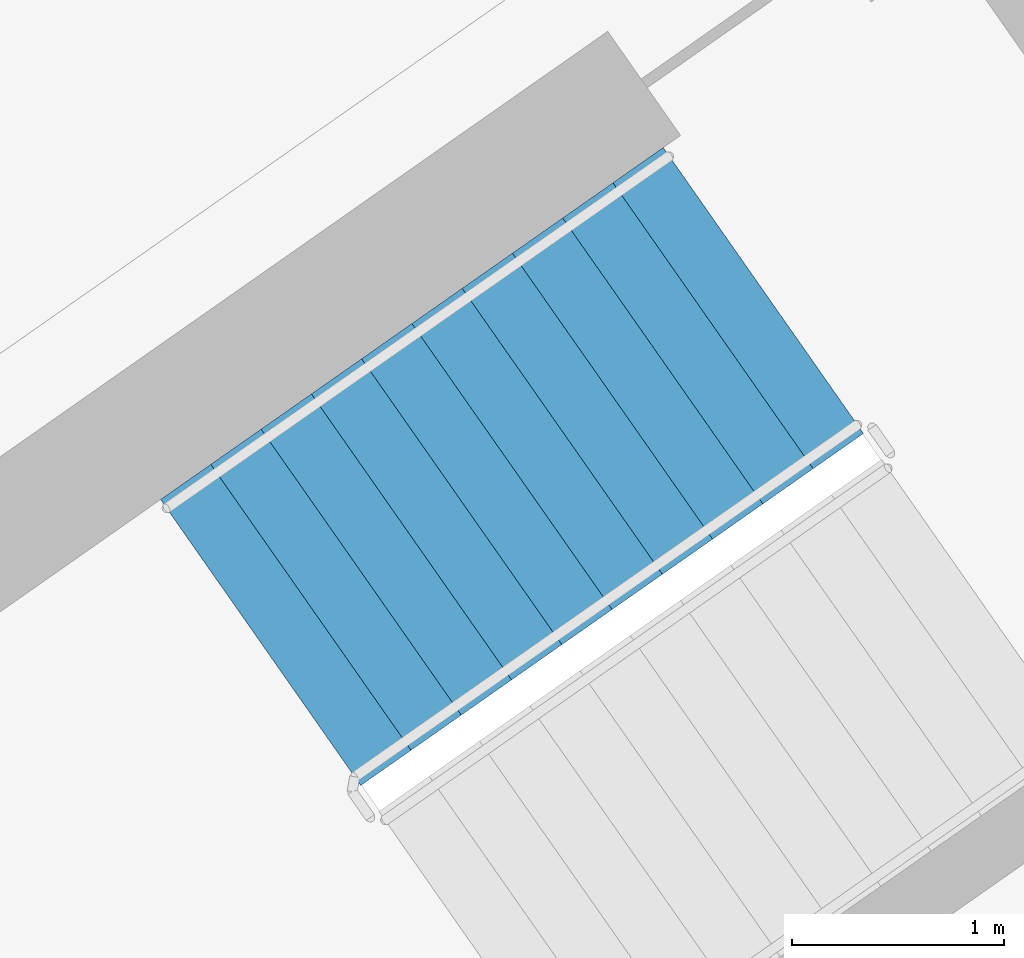
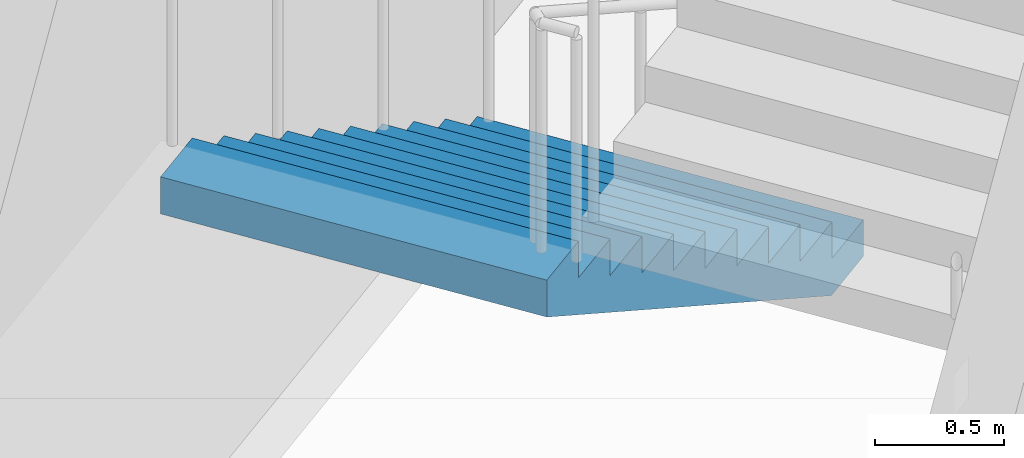
# One storey, part 16 of 26: 1 stair flight, 1 element without a shape of its own.
"""IFC4 building model written with IfcOpenShell, lengths in metres."""

from ifc_helpers import new_model, si_unit, direction, frame, origin, place, context, subcontext, project, spatial, faceted_brep, material, type_object, element, aggregate, save


model = new_model("IFC4")

# Units and contexts
model_context = context("Model", 3, precision=1e-05, world=origin(), true_north=direction((0.0, 1.0)))
body_context = subcontext(model_context, "Body", "Model", "MODEL_VIEW")
ifc_project = project(units=[si_unit("LENGTHUNIT", "METRE"), si_unit("AREAUNIT", "SQUARE_METRE"), si_unit("VOLUMEUNIT", "CUBIC_METRE"), si_unit("PLANEANGLEUNIT", "RADIAN"), si_unit("MASSUNIT", "GRAM", prefix="KILO")], contexts=[model_context])

# Site, building, storey
site_placement = place(None, origin())
site = spatial("IfcSite", under=ifc_project, at=site_placement, CompositionType="ELEMENT")
building_placement = place(site_placement, origin())
building = spatial("IfcBuilding", under=site, at=building_placement, Name="Qamariyya Broadcast Tower", CompositionType="ELEMENT")
storey_placement = place(building_placement, frame((0.0, 0.0, 160.699951171875)))
storey = spatial("IfcBuildingStorey", under=building, at=storey_placement, Name="L37", CompositionType="ELEMENT", Elevation=160.699951171875)

# Stair, stair flight
ifc_material = material(Name="Concrete C50/60", Category="concrete")
stair_type = type_object("IfcStairType", Name="Exit stair 22 risers of 173 mm", PredefinedType="HALF_TURN_STAIR", material=ifc_material)
stair_placement = place(storey_placement, origin())
stair = element("IfcStair", 1, at=stair_placement, inside=storey, type_object=stair_type, Name="L37 Stair E2", PredefinedType="HALF_TURN_STAIR")
stair_flight_type = type_object("IfcStairFlightType", Name="Exit stair flight 11 risers of 173 mm", PredefinedType="STRAIGHT", material=ifc_material)
stair_flight_placement = place(storey_placement, frame((40.558837890625, -47.685302734375, 0.0), z_axis=(0.0, 0.0, 1.0), x_axis=(-0.819152044289, -0.573576436351, 0.0)))
stair_flight = element("IfcStairFlight", 2, at=stair_flight_placement, type_object=stair_flight_type, Name="ST-E2 flight 1", NumberOfRisers=11, NumberOfTreads=10, PredefinedType="STRAIGHT", RiserHeight=0.172727273, TreadLength=0.29, context=body_context, shape_type="Brep", body=[
    faceted_brep([(0.0, 0.824951171875, 0.0), (0.0, 0.824951171875, 0.172607421875), (0.2900390625, 0.824951171875, 0.172607421875), (0.2900390625, 0.824951171875, 0.345458984375), (0.580078125, 0.824951171875, 0.345458984375), (0.580078125, 0.824951171875, 0.51806640625), (0.8701171875, 0.824951171875, 0.51806640625), (0.8701171875, 0.824951171875, 0.69091796875), (1.159912109375, 0.824951171875, 0.69091796875), (1.159912109375, 0.824951171875, 0.863525390625), (1.449951171875, 0.824951171875, 0.863525390625), (1.449951171875, 0.824951171875, 1.036376953125), (1.739990234375, 0.824951171875, 1.036376953125), (1.739990234375, 0.824951171875, 1.208984375), (2.030029296875, 0.824951171875, 1.208984375), (2.030029296875, 0.824951171875, 1.3818359375), (2.320068359375, 0.824951171875, 1.3818359375), (2.320068359375, 0.824951171875, 1.554443359375), (2.610107421875, 0.824951171875, 1.554443359375), (2.610107421875, 0.824951171875, 1.727294921875), (2.89990234375, 0.824951171875, 1.727294921875), (2.89990234375, 0.824951171875, 1.552734375), (0.29296875, 0.824951171875, 0.0), (0.29296875, -0.824951171875, 0.0), (2.89990234375, -0.824951171875, 1.552734375), (2.89990234375, -0.824951171875, 1.727294921875), (2.610107421875, -0.824951171875, 1.727294921875), (2.610107421875, -0.824951171875, 1.554443359375), (2.320068359375, -0.824951171875, 1.554443359375), (2.320068359375, -0.824951171875, 1.3818359375), (2.030029296875, -0.824951171875, 1.3818359375), (2.030029296875, -0.824951171875, 1.208984375), (1.739990234375, -0.824951171875, 1.208984375), (1.739990234375, -0.824951171875, 1.036376953125), (1.449951171875, -0.824951171875, 1.036376953125), (1.449951171875, -0.824951171875, 0.863525390625), (1.159912109375, -0.824951171875, 0.863525390625), (1.159912109375, -0.824951171875, 0.69091796875), (0.8701171875, -0.824951171875, 0.69091796875), (0.8701171875, -0.824951171875, 0.51806640625), (0.580078125, -0.824951171875, 0.51806640625), (0.580078125, -0.824951171875, 0.345458984375), (0.2900390625, -0.824951171875, 0.345458984375), (0.2900390625, -0.824951171875, 0.172607421875), (0.0, -0.824951171875, 0.172607421875), (0.0, -0.824951171875, 0.0), (0.0, 0.10009765625, 0.0), (0.0, 0.086669921875, 0.0), (0.0, 0.0732421875, 0.0), (0.0, 0.06005859375, 0.0), (0.0, 0.046630859375, 0.0), (0.0, 0.033447265625, 0.0), (0.0, 0.02001953125, 0.0), (0.0, 0.006591796875, 0.0), (0.0, -0.006591796875, 0.0), (0.0, -0.02001953125, 0.0), (0.0, -0.033447265625, 0.0), (0.0, -0.046630859375, 0.0), (0.0, -0.06005859375, 0.0), (0.0, -0.0732421875, 0.0), (0.0, -0.086669921875, 0.0), (0.0, -0.10009765625, 0.0), (0.0, -0.10009765625, 0.172607421875), (0.0, -0.086669921875, 0.172607421875), (0.0, -0.0732421875, 0.172607421875), (0.0, -0.06005859375, 0.172607421875), (0.0, -0.046630859375, 0.172607421875), (0.0, -0.033447265625, 0.172607421875), (0.0, -0.02001953125, 0.172607421875), (0.0, -0.006591796875, 0.172607421875), (0.0, 0.006591796875, 0.172607421875), (0.0, 0.02001953125, 0.172607421875), (0.0, 0.033447265625, 0.172607421875), (0.0, 0.046630859375, 0.172607421875), (0.0, 0.06005859375, 0.172607421875), (0.0, 0.0732421875, 0.172607421875), (0.0, 0.086669921875, 0.172607421875), (0.0, 0.10009765625, 0.172607421875), (0.2900390625, -0.10009765625, 0.172607421875), (0.2900390625, -0.086669921875, 0.172607421875), (0.2900390625, -0.0732421875, 0.172607421875), (0.2900390625, -0.06005859375, 0.172607421875), (0.2900390625, -0.046630859375, 0.172607421875), (0.2900390625, -0.033447265625, 0.172607421875), (0.2900390625, -0.02001953125, 0.172607421875), (0.2900390625, -0.006591796875, 0.172607421875), (0.2900390625, 0.006591796875, 0.172607421875), (0.2900390625, 0.02001953125, 0.172607421875), (0.2900390625, 0.033447265625, 0.172607421875), (0.2900390625, 0.046630859375, 0.172607421875), (0.2900390625, 0.06005859375, 0.172607421875), (0.2900390625, 0.0732421875, 0.172607421875), (0.2900390625, 0.086669921875, 0.172607421875), (0.2900390625, 0.10009765625, 0.172607421875), (0.2900390625, -0.10009765625, 0.345458984375), (0.2900390625, -0.086669921875, 0.345458984375), (0.2900390625, -0.0732421875, 0.345458984375), (0.2900390625, -0.06005859375, 0.345458984375), (0.2900390625, -0.046630859375, 0.345458984375), (0.2900390625, -0.033447265625, 0.345458984375), (0.2900390625, -0.02001953125, 0.345458984375), (0.2900390625, -0.006591796875, 0.345458984375), (0.2900390625, 0.006591796875, 0.345458984375), (0.2900390625, 0.02001953125, 0.345458984375), (0.2900390625, 0.033447265625, 0.345458984375), (0.2900390625, 0.046630859375, 0.345458984375), (0.2900390625, 0.06005859375, 0.345458984375), (0.2900390625, 0.0732421875, 0.345458984375), (0.2900390625, 0.086669921875, 0.345458984375), (0.2900390625, 0.10009765625, 0.345458984375), (0.580078125, -0.10009765625, 0.345458984375), (0.580078125, -0.086669921875, 0.345458984375), (0.580078125, -0.0732421875, 0.345458984375), (0.580078125, -0.06005859375, 0.345458984375), (0.580078125, -0.046630859375, 0.345458984375), (0.580078125, -0.033447265625, 0.345458984375), (0.580078125, -0.02001953125, 0.345458984375), (0.580078125, -0.006591796875, 0.345458984375), (0.580078125, 0.006591796875, 0.345458984375), (0.580078125, 0.02001953125, 0.345458984375), (0.580078125, 0.033447265625, 0.345458984375), (0.580078125, 0.046630859375, 0.345458984375), (0.580078125, 0.06005859375, 0.345458984375), (0.580078125, 0.0732421875, 0.345458984375), (0.580078125, 0.086669921875, 0.345458984375), (0.580078125, 0.10009765625, 0.345458984375), (0.580078125, -0.10009765625, 0.51806640625), (0.580078125, -0.086669921875, 0.51806640625), (0.580078125, -0.0732421875, 0.51806640625), (0.580078125, -0.06005859375, 0.51806640625), (0.580078125, -0.046630859375, 0.51806640625), (0.580078125, -0.033447265625, 0.51806640625), (0.580078125, -0.02001953125, 0.51806640625), (0.580078125, -0.006591796875, 0.51806640625), (0.580078125, 0.006591796875, 0.51806640625), (0.580078125, 0.02001953125, 0.51806640625), (0.580078125, 0.033447265625, 0.51806640625), (0.580078125, 0.046630859375, 0.51806640625), (0.580078125, 0.06005859375, 0.51806640625), (0.580078125, 0.0732421875, 0.51806640625), (0.580078125, 0.086669921875, 0.51806640625), (0.580078125, 0.10009765625, 0.51806640625), (0.8701171875, -0.10009765625, 0.51806640625), (0.8701171875, -0.086669921875, 0.51806640625), (0.8701171875, -0.0732421875, 0.51806640625), (0.8701171875, -0.06005859375, 0.51806640625), (0.8701171875, -0.046630859375, 0.51806640625), (0.8701171875, -0.033447265625, 0.51806640625), (0.8701171875, -0.02001953125, 0.51806640625), (0.8701171875, -0.006591796875, 0.51806640625), (0.8701171875, 0.006591796875, 0.51806640625), (0.8701171875, 0.02001953125, 0.51806640625), (0.8701171875, 0.033447265625, 0.51806640625), (0.8701171875, 0.046630859375, 0.51806640625), (0.8701171875, 0.06005859375, 0.51806640625), (0.8701171875, 0.0732421875, 0.51806640625), (0.8701171875, 0.086669921875, 0.51806640625), (0.8701171875, 0.10009765625, 0.51806640625), (0.8701171875, -0.10009765625, 0.69091796875), (0.8701171875, -0.086669921875, 0.69091796875), (0.8701171875, -0.0732421875, 0.69091796875), (0.8701171875, -0.06005859375, 0.69091796875), (0.8701171875, -0.046630859375, 0.69091796875), (0.8701171875, -0.033447265625, 0.69091796875), (0.8701171875, -0.02001953125, 0.69091796875), (0.8701171875, -0.006591796875, 0.69091796875), (0.8701171875, 0.006591796875, 0.69091796875), (0.8701171875, 0.02001953125, 0.69091796875), (0.8701171875, 0.033447265625, 0.69091796875), (0.8701171875, 0.046630859375, 0.69091796875), (0.8701171875, 0.06005859375, 0.69091796875), (0.8701171875, 0.0732421875, 0.69091796875), (0.8701171875, 0.086669921875, 0.69091796875), (0.8701171875, 0.10009765625, 0.69091796875), (1.159912109375, -0.10009765625, 0.69091796875), (1.159912109375, -0.086669921875, 0.69091796875), (1.159912109375, -0.0732421875, 0.69091796875), (1.159912109375, -0.06005859375, 0.69091796875), (1.159912109375, -0.046630859375, 0.69091796875), (1.159912109375, -0.033447265625, 0.69091796875), (1.159912109375, -0.02001953125, 0.69091796875), (1.159912109375, -0.006591796875, 0.69091796875), (1.159912109375, 0.006591796875, 0.69091796875), (1.159912109375, 0.02001953125, 0.69091796875), (1.159912109375, 0.033447265625, 0.69091796875), (1.159912109375, 0.046630859375, 0.69091796875), (1.159912109375, 0.06005859375, 0.69091796875), (1.159912109375, 0.0732421875, 0.69091796875), (1.159912109375, 0.086669921875, 0.69091796875), (1.159912109375, 0.10009765625, 0.69091796875), (1.159912109375, -0.10009765625, 0.863525390625), (1.159912109375, -0.086669921875, 0.863525390625), (1.159912109375, -0.0732421875, 0.863525390625), (1.159912109375, -0.06005859375, 0.863525390625), (1.159912109375, -0.046630859375, 0.863525390625), (1.159912109375, -0.033447265625, 0.863525390625), (1.159912109375, -0.02001953125, 0.863525390625), (1.159912109375, -0.006591796875, 0.863525390625), (1.159912109375, 0.006591796875, 0.863525390625), (1.159912109375, 0.02001953125, 0.863525390625), (1.159912109375, 0.033447265625, 0.863525390625), (1.159912109375, 0.046630859375, 0.863525390625), (1.159912109375, 0.06005859375, 0.863525390625), (1.159912109375, 0.0732421875, 0.863525390625), (1.159912109375, 0.086669921875, 0.863525390625), (1.159912109375, 0.10009765625, 0.863525390625), (1.449951171875, -0.10009765625, 0.863525390625), (1.449951171875, -0.086669921875, 0.863525390625), (1.449951171875, -0.0732421875, 0.863525390625), (1.449951171875, -0.06005859375, 0.863525390625), (1.449951171875, -0.046630859375, 0.863525390625), (1.449951171875, -0.033447265625, 0.863525390625), (1.449951171875, -0.02001953125, 0.863525390625), (1.449951171875, -0.006591796875, 0.863525390625), (1.449951171875, 0.006591796875, 0.863525390625), (1.449951171875, 0.02001953125, 0.863525390625), (1.449951171875, 0.033447265625, 0.863525390625), (1.449951171875, 0.046630859375, 0.863525390625), (1.449951171875, 0.06005859375, 0.863525390625), (1.449951171875, 0.0732421875, 0.863525390625), (1.449951171875, 0.086669921875, 0.863525390625), (1.449951171875, 0.10009765625, 0.863525390625), (1.449951171875, -0.10009765625, 1.036376953125), (1.449951171875, -0.086669921875, 1.036376953125), (1.449951171875, -0.0732421875, 1.036376953125), (1.449951171875, -0.06005859375, 1.036376953125), (1.449951171875, -0.046630859375, 1.036376953125), (1.449951171875, -0.033447265625, 1.036376953125), (1.449951171875, -0.02001953125, 1.036376953125), (1.449951171875, -0.006591796875, 1.036376953125), (1.449951171875, 0.006591796875, 1.036376953125), (1.449951171875, 0.02001953125, 1.036376953125), (1.449951171875, 0.033447265625, 1.036376953125), (1.449951171875, 0.046630859375, 1.036376953125), (1.449951171875, 0.06005859375, 1.036376953125), (1.449951171875, 0.0732421875, 1.036376953125), (1.449951171875, 0.086669921875, 1.036376953125), (1.449951171875, 0.10009765625, 1.036376953125), (1.739990234375, -0.10009765625, 1.036376953125), (1.739990234375, -0.086669921875, 1.036376953125), (1.739990234375, -0.0732421875, 1.036376953125), (1.739990234375, -0.06005859375, 1.036376953125), (1.739990234375, -0.046630859375, 1.036376953125), (1.739990234375, -0.033447265625, 1.036376953125), (1.739990234375, -0.02001953125, 1.036376953125), (1.739990234375, -0.006591796875, 1.036376953125), (1.739990234375, 0.006591796875, 1.036376953125), (1.739990234375, 0.02001953125, 1.036376953125), (1.739990234375, 0.033447265625, 1.036376953125), (1.739990234375, 0.046630859375, 1.036376953125), (1.739990234375, 0.06005859375, 1.036376953125), (1.739990234375, 0.0732421875, 1.036376953125), (1.739990234375, 0.086669921875, 1.036376953125), (1.739990234375, 0.10009765625, 1.036376953125), (1.739990234375, -0.10009765625, 1.208984375), (1.739990234375, -0.086669921875, 1.208984375), (1.739990234375, -0.0732421875, 1.208984375), (1.739990234375, -0.06005859375, 1.208984375), (1.739990234375, -0.046630859375, 1.208984375), (1.739990234375, -0.033447265625, 1.208984375), (1.739990234375, -0.02001953125, 1.208984375), (1.739990234375, -0.006591796875, 1.208984375), (1.739990234375, 0.006591796875, 1.208984375), (1.739990234375, 0.02001953125, 1.208984375), (1.739990234375, 0.033447265625, 1.208984375), (1.739990234375, 0.046630859375, 1.208984375), (1.739990234375, 0.06005859375, 1.208984375), (1.739990234375, 0.0732421875, 1.208984375), (1.739990234375, 0.086669921875, 1.208984375), (1.739990234375, 0.10009765625, 1.208984375), (2.030029296875, -0.10009765625, 1.208984375), (2.030029296875, -0.086669921875, 1.208984375), (2.030029296875, -0.0732421875, 1.208984375), (2.030029296875, -0.06005859375, 1.208984375), (2.030029296875, -0.046630859375, 1.208984375), (2.030029296875, -0.033447265625, 1.208984375), (2.030029296875, -0.02001953125, 1.208984375), (2.030029296875, -0.006591796875, 1.208984375), (2.030029296875, 0.006591796875, 1.208984375), (2.030029296875, 0.02001953125, 1.208984375), (2.030029296875, 0.033447265625, 1.208984375), (2.030029296875, 0.046630859375, 1.208984375), (2.030029296875, 0.06005859375, 1.208984375), (2.030029296875, 0.0732421875, 1.208984375), (2.030029296875, 0.086669921875, 1.208984375), (2.030029296875, 0.10009765625, 1.208984375), (2.030029296875, -0.10009765625, 1.3818359375), (2.030029296875, -0.086669921875, 1.3818359375), (2.030029296875, -0.0732421875, 1.3818359375), (2.030029296875, -0.06005859375, 1.3818359375), (2.030029296875, -0.046630859375, 1.3818359375), (2.030029296875, -0.033447265625, 1.3818359375), (2.030029296875, -0.02001953125, 1.3818359375), (2.030029296875, -0.006591796875, 1.3818359375), (2.030029296875, 0.006591796875, 1.3818359375), (2.030029296875, 0.02001953125, 1.3818359375), (2.030029296875, 0.033447265625, 1.3818359375), (2.030029296875, 0.046630859375, 1.3818359375), (2.030029296875, 0.06005859375, 1.3818359375), (2.030029296875, 0.0732421875, 1.3818359375), (2.030029296875, 0.086669921875, 1.3818359375), (2.030029296875, 0.10009765625, 1.3818359375), (2.320068359375, -0.10009765625, 1.3818359375), (2.320068359375, -0.086669921875, 1.3818359375), (2.320068359375, -0.0732421875, 1.3818359375), (2.320068359375, -0.06005859375, 1.3818359375), (2.320068359375, -0.046630859375, 1.3818359375), (2.320068359375, -0.033447265625, 1.3818359375), (2.320068359375, -0.02001953125, 1.3818359375), (2.320068359375, -0.006591796875, 1.3818359375), (2.320068359375, 0.006591796875, 1.3818359375), (2.320068359375, 0.02001953125, 1.3818359375), (2.320068359375, 0.033447265625, 1.3818359375), (2.320068359375, 0.046630859375, 1.3818359375), (2.320068359375, 0.06005859375, 1.3818359375), (2.320068359375, 0.0732421875, 1.3818359375), (2.320068359375, 0.086669921875, 1.3818359375), (2.320068359375, 0.10009765625, 1.3818359375), (2.320068359375, -0.10009765625, 1.554443359375), (2.320068359375, -0.086669921875, 1.554443359375), (2.320068359375, -0.0732421875, 1.554443359375), (2.320068359375, -0.06005859375, 1.554443359375), (2.320068359375, -0.046630859375, 1.554443359375), (2.320068359375, -0.033447265625, 1.554443359375), (2.320068359375, -0.02001953125, 1.554443359375), (2.320068359375, -0.006591796875, 1.554443359375), (2.320068359375, 0.006591796875, 1.554443359375), (2.320068359375, 0.02001953125, 1.554443359375), (2.320068359375, 0.033447265625, 1.554443359375), (2.320068359375, 0.046630859375, 1.554443359375), (2.320068359375, 0.06005859375, 1.554443359375), (2.320068359375, 0.0732421875, 1.554443359375), (2.320068359375, 0.086669921875, 1.554443359375), (2.320068359375, 0.10009765625, 1.554443359375), (2.610107421875, -0.10009765625, 1.554443359375), (2.610107421875, -0.086669921875, 1.554443359375), (2.610107421875, -0.0732421875, 1.554443359375), (2.610107421875, -0.06005859375, 1.554443359375), (2.610107421875, -0.046630859375, 1.554443359375), (2.610107421875, -0.033447265625, 1.554443359375), (2.610107421875, -0.02001953125, 1.554443359375), (2.610107421875, -0.006591796875, 1.554443359375), (2.610107421875, 0.006591796875, 1.554443359375), (2.610107421875, 0.02001953125, 1.554443359375), (2.610107421875, 0.033447265625, 1.554443359375), (2.610107421875, 0.046630859375, 1.554443359375), (2.610107421875, 0.06005859375, 1.554443359375), (2.610107421875, 0.0732421875, 1.554443359375), (2.610107421875, 0.086669921875, 1.554443359375), (2.610107421875, 0.10009765625, 1.554443359375), (2.610107421875, -0.10009765625, 1.727294921875), (2.610107421875, -0.086669921875, 1.727294921875), (2.610107421875, -0.0732421875, 1.727294921875), (2.610107421875, -0.06005859375, 1.727294921875), (2.610107421875, -0.046630859375, 1.727294921875), (2.610107421875, -0.033447265625, 1.727294921875), (2.610107421875, -0.02001953125, 1.727294921875), (2.610107421875, -0.006591796875, 1.727294921875), (2.610107421875, 0.006591796875, 1.727294921875), (2.610107421875, 0.02001953125, 1.727294921875), (2.610107421875, 0.033447265625, 1.727294921875), (2.610107421875, 0.046630859375, 1.727294921875), (2.610107421875, 0.06005859375, 1.727294921875), (2.610107421875, 0.0732421875, 1.727294921875), (2.610107421875, 0.086669921875, 1.727294921875), (2.610107421875, 0.10009765625, 1.727294921875), (2.89990234375, -0.10009765625, 1.727294921875), (2.89990234375, -0.086669921875, 1.727294921875), (2.89990234375, -0.0732421875, 1.727294921875), (2.89990234375, -0.06005859375, 1.727294921875), (2.89990234375, -0.046630859375, 1.727294921875), (2.89990234375, -0.033447265625, 1.727294921875), (2.89990234375, -0.02001953125, 1.727294921875), (2.89990234375, -0.006591796875, 1.727294921875), (2.89990234375, 0.006591796875, 1.727294921875), (2.89990234375, 0.02001953125, 1.727294921875), (2.89990234375, 0.033447265625, 1.727294921875), (2.89990234375, 0.046630859375, 1.727294921875), (2.89990234375, 0.06005859375, 1.727294921875), (2.89990234375, 0.0732421875, 1.727294921875), (2.89990234375, 0.086669921875, 1.727294921875), (2.89990234375, 0.10009765625, 1.727294921875), (2.89990234375, -0.10009765625, 1.552734375), (2.89990234375, -0.086669921875, 1.552734375), (2.89990234375, -0.0732421875, 1.552734375), (2.89990234375, -0.06005859375, 1.552734375), (2.89990234375, -0.046630859375, 1.552734375), (2.89990234375, -0.033447265625, 1.552734375), (2.89990234375, -0.02001953125, 1.552734375), (2.89990234375, -0.006591796875, 1.552734375), (2.89990234375, 0.006591796875, 1.552734375), (2.89990234375, 0.02001953125, 1.552734375), (2.89990234375, 0.033447265625, 1.552734375), (2.89990234375, 0.046630859375, 1.552734375), (2.89990234375, 0.06005859375, 1.552734375), (2.89990234375, 0.0732421875, 1.552734375), (2.89990234375, 0.086669921875, 1.552734375), (2.89990234375, 0.10009765625, 1.552734375), (0.29296875, -0.10009765625, 0.0), (0.29296875, -0.086669921875, 0.0), (0.29296875, -0.0732421875, 0.0), (0.29296875, -0.06005859375, 0.0), (0.29296875, -0.046630859375, 0.0), (0.29296875, -0.033447265625, 0.0), (0.29296875, -0.02001953125, 0.0), (0.29296875, -0.006591796875, 0.0), (0.29296875, 0.006591796875, 0.0), (0.29296875, 0.02001953125, 0.0), (0.29296875, 0.033447265625, 0.0), (0.29296875, 0.046630859375, 0.0), (0.29296875, 0.06005859375, 0.0), (0.29296875, 0.0732421875, 0.0), (0.29296875, 0.086669921875, 0.0), (0.29296875, 0.10009765625, 0.0)], [[[0, 1, 2, 3, 4, 5, 6, 7, 8, 9, 10, 11, 12, 13, 14, 15, 16, 17, 18, 19, 20, 21, 22]], [[23, 24, 25, 26, 27, 28, 29, 30, 31, 32, 33, 34, 35, 36, 37, 38, 39, 40, 41, 42, 43, 44, 45]], [[0, 46, 47, 48, 49, 50, 51, 52, 53, 54, 55, 56, 57, 58, 59, 60, 61, 45, 44, 62, 63, 64, 65, 66, 67, 68, 69, 70, 71, 72, 73, 74, 75, 76, 77, 1]], [[1, 77, 76, 75, 74, 73, 72, 71, 70, 69, 68, 67, 66, 65, 64, 63, 62, 44, 43, 78, 79, 80, 81, 82, 83, 84, 85, 86, 87, 88, 89, 90, 91, 92, 93, 2]], [[2, 93, 92, 91, 90, 89, 88, 87, 86, 85, 84, 83, 82, 81, 80, 79, 78, 43, 42, 94, 95, 96, 97, 98, 99, 100, 101, 102, 103, 104, 105, 106, 107, 108, 109, 3]], [[3, 109, 108, 107, 106, 105, 104, 103, 102, 101, 100, 99, 98, 97, 96, 95, 94, 42, 41, 110, 111, 112, 113, 114, 115, 116, 117, 118, 119, 120, 121, 122, 123, 124, 125, 4]], [[4, 125, 124, 123, 122, 121, 120, 119, 118, 117, 116, 115, 114, 113, 112, 111, 110, 41, 40, 126, 127, 128, 129, 130, 131, 132, 133, 134, 135, 136, 137, 138, 139, 140, 141, 5]], [[5, 141, 140, 139, 138, 137, 136, 135, 134, 133, 132, 131, 130, 129, 128, 127, 126, 40, 39, 142, 143, 144, 145, 146, 147, 148, 149, 150, 151, 152, 153, 154, 155, 156, 157, 6]], [[6, 157, 156, 155, 154, 153, 152, 151, 150, 149, 148, 147, 146, 145, 144, 143, 142, 39, 38, 158, 159, 160, 161, 162, 163, 164, 165, 166, 167, 168, 169, 170, 171, 172, 173, 7]], [[7, 173, 172, 171, 170, 169, 168, 167, 166, 165, 164, 163, 162, 161, 160, 159, 158, 38, 37, 174, 175, 176, 177, 178, 179, 180, 181, 182, 183, 184, 185, 186, 187, 188, 189, 8]], [[8, 189, 188, 187, 186, 185, 184, 183, 182, 181, 180, 179, 178, 177, 176, 175, 174, 37, 36, 190, 191, 192, 193, 194, 195, 196, 197, 198, 199, 200, 201, 202, 203, 204, 205, 9]], [[9, 205, 204, 203, 202, 201, 200, 199, 198, 197, 196, 195, 194, 193, 192, 191, 190, 36, 35, 206, 207, 208, 209, 210, 211, 212, 213, 214, 215, 216, 217, 218, 219, 220, 221, 10]], [[10, 221, 220, 219, 218, 217, 216, 215, 214, 213, 212, 211, 210, 209, 208, 207, 206, 35, 34, 222, 223, 224, 225, 226, 227, 228, 229, 230, 231, 232, 233, 234, 235, 236, 237, 11]], [[11, 237, 236, 235, 234, 233, 232, 231, 230, 229, 228, 227, 226, 225, 224, 223, 222, 34, 33, 238, 239, 240, 241, 242, 243, 244, 245, 246, 247, 248, 249, 250, 251, 252, 253, 12]], [[12, 253, 252, 251, 250, 249, 248, 247, 246, 245, 244, 243, 242, 241, 240, 239, 238, 33, 32, 254, 255, 256, 257, 258, 259, 260, 261, 262, 263, 264, 265, 266, 267, 268, 269, 13]], [[13, 269, 268, 267, 266, 265, 264, 263, 262, 261, 260, 259, 258, 257, 256, 255, 254, 32, 31, 270, 271, 272, 273, 274, 275, 276, 277, 278, 279, 280, 281, 282, 283, 284, 285, 14]], [[14, 285, 284, 283, 282, 281, 280, 279, 278, 277, 276, 275, 274, 273, 272, 271, 270, 31, 30, 286, 287, 288, 289, 290, 291, 292, 293, 294, 295, 296, 297, 298, 299, 300, 301, 15]], [[15, 301, 300, 299, 298, 297, 296, 295, 294, 293, 292, 291, 290, 289, 288, 287, 286, 30, 29, 302, 303, 304, 305, 306, 307, 308, 309, 310, 311, 312, 313, 314, 315, 316, 317, 16]], [[16, 317, 316, 315, 314, 313, 312, 311, 310, 309, 308, 307, 306, 305, 304, 303, 302, 29, 28, 318, 319, 320, 321, 322, 323, 324, 325, 326, 327, 328, 329, 330, 331, 332, 333, 17]], [[17, 333, 332, 331, 330, 329, 328, 327, 326, 325, 324, 323, 322, 321, 320, 319, 318, 28, 27, 334, 335, 336, 337, 338, 339, 340, 341, 342, 343, 344, 345, 346, 347, 348, 349, 18]], [[18, 349, 348, 347, 346, 345, 344, 343, 342, 341, 340, 339, 338, 337, 336, 335, 334, 27, 26, 350, 351, 352, 353, 354, 355, 356, 357, 358, 359, 360, 361, 362, 363, 364, 365, 19]], [[19, 365, 364, 363, 362, 361, 360, 359, 358, 357, 356, 355, 354, 353, 352, 351, 350, 26, 25, 366, 367, 368, 369, 370, 371, 372, 373, 374, 375, 376, 377, 378, 379, 380, 381, 20]], [[20, 381, 380, 379, 378, 377, 376, 375, 374, 373, 372, 371, 370, 369, 368, 367, 366, 25, 24, 382, 383, 384, 385, 386, 387, 388, 389, 390, 391, 392, 393, 394, 395, 396, 397, 21]], [[21, 397, 396, 395, 394, 393, 392, 391, 390, 389, 388, 387, 386, 385, 384, 383, 382, 24, 23, 398, 399, 400, 401, 402, 403, 404, 405, 406, 407, 408, 409, 410, 411, 412, 413, 22]], [[22, 413, 412, 411, 410, 409, 408, 407, 406, 405, 404, 403, 402, 401, 400, 399, 398, 23, 45, 61, 60, 59, 58, 57, 56, 55, 54, 53, 52, 51, 50, 49, 48, 47, 46, 0]]]),
])
aggregate(stair, [stair_flight])

save(model, "model.ifc")
